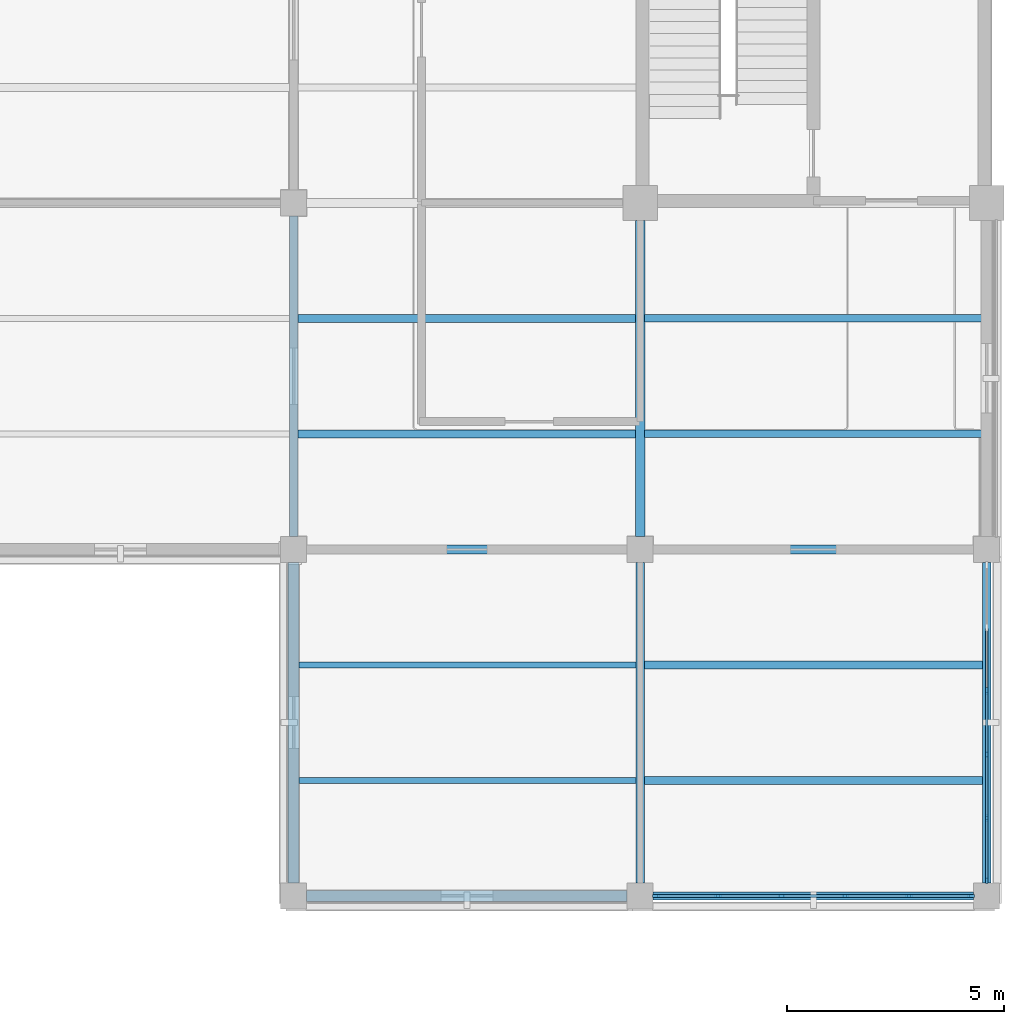
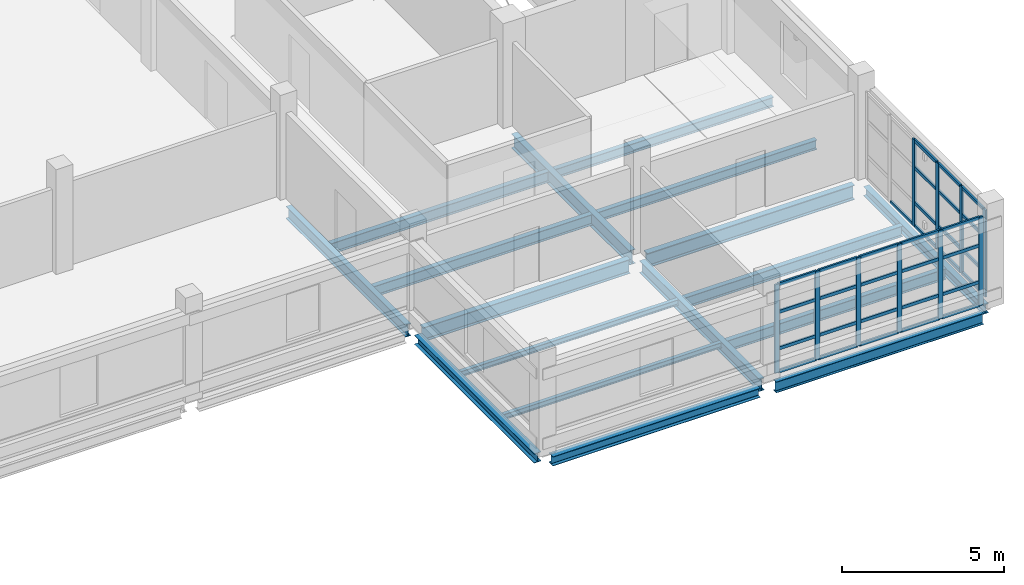
# One storey, part 47 of 126: 43 members, 17 beams, 2 elements without a shape of their own.
"""IFC4 building model written with IfcOpenShell, lengths in metres."""

from ifc_helpers import new_model, si_unit, derived_unit, direction, frame, origin, origin_2d, place, context, subcontext, project, spatial, rectangle, i_section, extrude, material, layer, layer_set, material_profile, profile_set, type_object, element, aggregate, save


model = new_model("IFC4")

# Units and contexts
model_context = context("Model", 3, precision=1e-05, world=origin(), true_north=direction((0.0, 1.0)))
body_context = subcontext(model_context, "Body", "Model", "MODEL_VIEW")
ifc_project = project(units=[si_unit("LENGTHUNIT", "METRE"), si_unit("AREAUNIT", "SQUARE_METRE"), si_unit("VOLUMEUNIT", "CUBIC_METRE"), si_unit("PLANEANGLEUNIT", "RADIAN"), si_unit("MASSUNIT", "GRAM", prefix="KILO"), derived_unit("THERMALTRANSMITTANCEUNIT", [(si_unit("MASSUNIT", "GRAM", prefix="KILO"), 1), (si_unit("TIMEUNIT", "SECOND"), -3), (si_unit("THERMODYNAMICTEMPERATUREUNIT", "KELVIN"), -1)])], contexts=[model_context])

# Site, building, storey
site_placement = place(None, origin())
site = spatial("IfcSite", under=ifc_project, at=site_placement, CompositionType="ELEMENT")
building_placement = place(site_placement, origin())
building = spatial("IfcBuilding", under=site, at=building_placement, Name="Veyamyaing Civic Hall", CompositionType="ELEMENT")
storey_placement = place(building_placement, frame((0.0, 0.0, 9.89990234375)))
storey = spatial("IfcBuildingStorey", under=building, at=storey_placement, Name="L02", CompositionType="ELEMENT", Elevation=9.89990234375)

# Beams
ifc_material_1 = material(Name="Steel ASTM A992", Category="steel")
ifc_material_profile_1 = material_profile(ifc_material_1, i_section(OverallWidth=0.208984375, OverallDepth=0.532958984375, WebThickness=0.01025390625, FlangeThickness=0.015625, FilletRadius=0.011962890625, at=origin_2d()), Name="W530X92")
ifc_profile_set_1 = profile_set([ifc_material_profile_1], Name="Steel ASTM A992")
beam_type_1 = type_object("IfcBeamType", Name="B-07", PredefinedType="BEAM", material=ifc_profile_set_1)
beam_1_placement = place(storey_placement, frame((160.300048828125, 8.0, -0.551513671875), z_axis=(1.0, 0.0, 0.0), x_axis=(0.0, 1.0, 0.0)))
element("IfcBeam", 1, at=beam_1_placement, inside=storey, type_object=beam_type_1, Name="Girder B-07 L02 Grid B 21-22", PredefinedType="BEAM", context=body_context, shape_type="SweptSolid", body=[
    extrude(i_section(OverallWidth=0.208984375, OverallDepth=0.532958984375, WebThickness=0.01025390625, FlangeThickness=0.015625, FilletRadius=0.011962890625, at=origin_2d()), origin(), (0.0, 0.0, 1.0), 7.39990234375),
])
ifc_material_profile_2 = material_profile(ifc_material_1, i_section(OverallWidth=0.19189453125, OverallDepth=0.462890625, WebThickness=0.010498046875, FlangeThickness=0.017578125, FilletRadius=0.010009765625, at=origin_2d()), Name="W460X89")
ifc_profile_set_2 = profile_set([ifc_material_profile_2], Name="Steel ASTM A992")
beam_type_2 = type_object("IfcBeamType", Name="B-08", PredefinedType="BEAM", material=ifc_profile_set_2)
for number, where, z_axis, x_axis, name in (
    (2, (160.0, 8.300048828125, -0.516357421875), (0.0, 1.0, 0.0), (-1.0, 0.0, 0.0), "Girder B-08 L02 Grid 21 B-C"),
    (3, (168.0, 0.300048828125, -0.516357421875), (0.0, 1.0, 0.0), (-1.0, 0.0, 0.0), "Girder B-08 L02 Grid 22 A-B"),
):
    element("IfcBeam", number, at=place(storey_placement, frame(where, z_axis=z_axis, x_axis=x_axis)), inside=storey, type_object=beam_type_2, Name=name, PredefinedType="BEAM", context=body_context, shape_type="SweptSolid", body=[
        extrude(i_section(OverallWidth=0.19189453125, OverallDepth=0.462890625, WebThickness=0.010498046875, FlangeThickness=0.017578125, FilletRadius=0.010009765625, at=origin_2d()), origin(), (0.0, 0.0, 1.0), 7.39990234375),
    ])
ifc_material_profile_3 = material_profile(ifc_material_1, i_section(OverallWidth=0.179931640625, OverallDepth=0.4130859375, WebThickness=0.009765625, FlangeThickness=0.01611328125, FilletRadius=0.010009765625, at=origin_2d()), Name="W410X74")
ifc_profile_set_3 = profile_set([ifc_material_profile_3], Name="Steel ASTM A992")
beam_type_3 = type_object("IfcBeamType", Name="B-10", PredefinedType="SPANDREL", material=ifc_profile_set_3)
beam_2_placement = place(storey_placement, frame((168.300048828125, 0.0, -0.491455078125), z_axis=(1.0, 0.0, 0.0), x_axis=(0.0, 1.0, 0.0)))
element("IfcBeam", 4, at=beam_2_placement, inside=storey, type_object=beam_type_3, Name="Girder B-10 L02 Grid A 22-23", PredefinedType="SPANDREL", context=body_context, shape_type="SweptSolid", body=[
    extrude(i_section(OverallWidth=0.179931640625, OverallDepth=0.4130859375, WebThickness=0.009765625, FlangeThickness=0.01611328125, FilletRadius=0.010009765625, at=origin_2d()), origin(), (0.0, 0.0, 1.0), 7.39990234375),
])
ifc_material_profile_4 = material_profile(ifc_material_1, i_section(OverallWidth=0.2041015625, OverallDepth=0.35009765625, WebThickness=0.0078125, FlangeThickness=0.01513671875, FilletRadius=0.010009765625, at=origin_2d()), Name="W360X72")
ifc_profile_set_4 = profile_set([ifc_material_profile_4], Name="Steel ASTM A992")
beam_type_4 = type_object("IfcBeamType", Name="B-11", PredefinedType="SPANDREL", material=ifc_profile_set_4)
beam_3_placement = place(storey_placement, frame((176.0, 0.300048828125, -0.4599609375), z_axis=(0.0, 1.0, 0.0), x_axis=(-1.0, 0.0, 0.0)))
element("IfcBeam", 5, at=beam_3_placement, inside=storey, type_object=beam_type_4, Name="Girder B-11 L02 Grid 23 A-B", PredefinedType="SPANDREL", context=body_context, shape_type="SweptSolid", body=[
    extrude(i_section(OverallWidth=0.2041015625, OverallDepth=0.35009765625, WebThickness=0.0078125, FlangeThickness=0.01513671875, FilletRadius=0.010009765625, at=origin_2d()), origin(), (0.0, 0.0, 1.0), 7.39990234375),
])
ifc_material_profile_5 = material_profile(ifc_material_1, i_section(OverallWidth=0.214111328125, OverallDepth=0.549072265625, WebThickness=0.0146484375, FlangeThickness=0.023681640625, FilletRadius=0.011962890625, at=origin_2d()), Name="W530X138")
ifc_profile_set_5 = profile_set([ifc_material_profile_5], Name="Steel ASTM A992")
beam_type_5 = type_object("IfcBeamType", Name="B-16", PredefinedType="BEAM", material=ifc_profile_set_5)
beam_4_placement = place(storey_placement, frame((168.300048828125, 8.0, -0.559326171875), z_axis=(1.0, 0.0, 0.0), x_axis=(0.0, 1.0, 0.0)))
element("IfcBeam", 6, at=beam_4_placement, inside=storey, type_object=beam_type_5, Name="Girder B-16 L02 Grid B 22-23", PredefinedType="BEAM", context=body_context, shape_type="SweptSolid", body=[
    extrude(i_section(OverallWidth=0.214111328125, OverallDepth=0.549072265625, WebThickness=0.0146484375, FlangeThickness=0.023681640625, FilletRadius=0.011962890625, at=origin_2d()), origin(), (0.0, 0.0, 1.0), 7.39990234375),
])
ifc_material_profile_6 = material_profile(ifc_material_1, i_section(OverallWidth=0.2109375, OverallDepth=0.5390625, WebThickness=0.01171875, FlangeThickness=0.018798828125, FilletRadius=0.011962890625, at=origin_2d()), Name="W530X109")
ifc_profile_set_6 = profile_set([ifc_material_profile_6], Name="Steel ASTM A992")
beam_type_6 = type_object("IfcBeamType", Name="B-17", PredefinedType="BEAM", material=ifc_profile_set_6)
beam_5_placement = place(storey_placement, frame((168.0, 8.300048828125, -0.554443359375), z_axis=(0.0, 1.0, 0.0), x_axis=(-1.0, 0.0, 0.0)))
element("IfcBeam", 7, at=beam_5_placement, inside=storey, type_object=beam_type_6, Name="Girder B-17 L02 Grid 22 B-C", PredefinedType="BEAM", context=body_context, shape_type="SweptSolid", body=[
    extrude(i_section(OverallWidth=0.2109375, OverallDepth=0.5390625, WebThickness=0.01171875, FlangeThickness=0.018798828125, FilletRadius=0.011962890625, at=origin_2d()), origin(), (0.0, 0.0, 1.0), 7.300048828125),
])
ifc_material_profile_7 = material_profile(ifc_material_1, i_section(OverallWidth=0.25390625, OverallDepth=0.35302734375, WebThickness=0.009521484375, FlangeThickness=0.016357421875, FilletRadius=0.011962890625, at=origin_2d()), Name="W360X91")
ifc_profile_set_7 = profile_set([ifc_material_profile_7], Name="Steel ASTM A992")
beam_type_7 = type_object("IfcBeamType", Name="B-20", PredefinedType="SPANDREL", material=ifc_profile_set_7)
for number, where, z_axis, x_axis, name in (
    (8, (160.300048828125, 0.0, -0.46142578125), (1.0, 0.0, 0.0), (0.0, 1.0, 0.0), "Girder B-20 L02 Grid A 21-22"),
    (9, (160.0, 0.300048828125, -0.46142578125), (0.0, 1.0, 0.0), (-1.0, 0.0, 0.0), "Girder B-20 L02 Grid 21 A-B"),
):
    element("IfcBeam", number, at=place(storey_placement, frame(where, z_axis=z_axis, x_axis=x_axis)), inside=storey, type_object=beam_type_7, Name=name, PredefinedType="SPANDREL", context=body_context, shape_type="SweptSolid", body=[
        extrude(i_section(OverallWidth=0.25390625, OverallDepth=0.35302734375, WebThickness=0.009521484375, FlangeThickness=0.016357421875, FilletRadius=0.011962890625, at=origin_2d()), origin(), (0.0, 0.0, 1.0), 7.39990234375),
    ])

# Curtain wall, members
ifc_material_2 = material(Name="Anodised aluminium 6063-T6", Category="aluminium")
ifc_layer = layer(ifc_material_2, 0.159912109375, Name="Anodised aluminium 6063-T6")
ifc_layer_set = layer_set([ifc_layer], Name="Anodised aluminium 6063-T6")
curtain_wall_type = type_object("IfcCurtainWallType", Name="CW-03", PredefinedType="NOTDEFINED", material=ifc_layer_set)
curtain_wall_1_placement = place(storey_placement, origin())
curtain_wall_1 = element("IfcCurtainWall", 10, at=curtain_wall_1_placement, inside=storey, type_object=curtain_wall_type, Name="Unitized curtain wall CW-03 L02 S 22.1", PredefinedType="NOTDEFINED")
ifc_material_profile_8 = material_profile(ifc_material_2, rectangle(XDim=0.06494140625, YDim=0.159912109375, at=origin_2d()), Name="ALU-MUL-65X160")
ifc_profile_set_8 = profile_set([ifc_material_profile_8], Name="Anodised aluminium 6063-T6")
member_type_1 = type_object("IfcMemberType", Name="CWM-01", PredefinedType="MULLION", material=ifc_profile_set_8)
member_1_placement = place(storey_placement, frame((168.362548828125, 0.0, 0.0), z_axis=(0.0, 0.0, 1.0), x_axis=(0.0, 1.0, 0.0)))
member_1 = element("IfcMember", 11, at=member_1_placement, type_object=member_type_1, Name="CW-03 mullion 1", PredefinedType="MULLION", context=body_context, shape_type="SweptSolid", body=[
    extrude(rectangle(XDim=0.06494140625, YDim=0.159912109375, at=origin_2d()), origin(), (0.0, 0.0, 1.0), 3.34716796875),
])
member_2_placement = place(storey_placement, frame((169.798095703125, 0.0, 0.0), z_axis=(0.0, 0.0, 1.0), x_axis=(0.0, 1.0, 0.0)))
member_2 = element("IfcMember", 12, at=member_2_placement, type_object=member_type_1, Name="CW-03 mullion 2", PredefinedType="MULLION", context=body_context, shape_type="SweptSolid", body=[
    extrude(rectangle(XDim=0.06494140625, YDim=0.159912109375, at=origin_2d()), origin(), (0.0, 0.0, 1.0), 3.34716796875),
])
member_3_placement = place(storey_placement, frame((171.26611328125, 0.0, 0.0), z_axis=(0.0, 0.0, 1.0), x_axis=(0.0, 1.0, 0.0)))
member_3 = element("IfcMember", 13, at=member_3_placement, type_object=member_type_1, Name="CW-03 mullion 3", PredefinedType="MULLION", context=body_context, shape_type="SweptSolid", body=[
    extrude(rectangle(XDim=0.06494140625, YDim=0.159912109375, at=origin_2d()), origin(), (0.0, 0.0, 1.0), 3.34716796875),
])
member_4_placement = place(storey_placement, frame((172.73388671875, 0.0, 0.0), z_axis=(0.0, 0.0, 1.0), x_axis=(0.0, 1.0, 0.0)))
member_4 = element("IfcMember", 14, at=member_4_placement, type_object=member_type_1, Name="CW-03 mullion 4", PredefinedType="MULLION", context=body_context, shape_type="SweptSolid", body=[
    extrude(rectangle(XDim=0.06494140625, YDim=0.159912109375, at=origin_2d()), origin(), (0.0, 0.0, 1.0), 3.34716796875),
])
member_5_placement = place(storey_placement, frame((174.201904296875, 0.0, 0.0), z_axis=(0.0, 0.0, 1.0), x_axis=(0.0, 1.0, 0.0)))
member_5 = element("IfcMember", 15, at=member_5_placement, type_object=member_type_1, Name="CW-03 mullion 5", PredefinedType="MULLION", context=body_context, shape_type="SweptSolid", body=[
    extrude(rectangle(XDim=0.06494140625, YDim=0.159912109375, at=origin_2d()), origin(), (0.0, 0.0, 1.0), 3.34716796875),
])
member_6_placement = place(storey_placement, frame((175.637451171875, 0.0, 0.0), z_axis=(0.0, 0.0, 1.0), x_axis=(0.0, 1.0, 0.0)))
member_6 = element("IfcMember", 16, at=member_6_placement, type_object=member_type_1, Name="CW-03 mullion 6", PredefinedType="MULLION", context=body_context, shape_type="SweptSolid", body=[
    extrude(rectangle(XDim=0.06494140625, YDim=0.159912109375, at=origin_2d()), origin(), (0.0, 0.0, 1.0), 3.34716796875),
])

curtain_wall_2_placement = place(storey_placement, origin())
curtain_wall_2 = element("IfcCurtainWall", 17, at=curtain_wall_2_placement, inside=storey, type_object=curtain_wall_type, Name="Unitized curtain wall CW-03 L02 E 22.1", PredefinedType="NOTDEFINED")
member_7_placement = place(storey_placement, frame((176.0, 0.362548828125, 0.0), z_axis=(0.0, 0.0, 1.0), x_axis=(-1.0, 0.0, 0.0)))
member_7 = element("IfcMember", 18, at=member_7_placement, type_object=member_type_1, Name="CW-03 mullion 1", PredefinedType="MULLION", context=body_context, shape_type="SweptSolid", body=[
    extrude(rectangle(XDim=0.06494140625, YDim=0.159912109375, at=origin_2d()), origin(), (0.0, 0.0, 1.0), 3.280029296875),
])
member_8_placement = place(storey_placement, frame((176.0, 1.798095703125, 0.0), z_axis=(0.0, 0.0, 1.0), x_axis=(-1.0, 0.0, 0.0)))
member_8 = element("IfcMember", 19, at=member_8_placement, type_object=member_type_1, Name="CW-03 mullion 2", PredefinedType="MULLION", context=body_context, shape_type="SweptSolid", body=[
    extrude(rectangle(XDim=0.06494140625, YDim=0.159912109375, at=origin_2d()), origin(), (0.0, 0.0, 1.0), 3.280029296875),
])
member_9_placement = place(storey_placement, frame((176.0, 3.26611328125, 0.0), z_axis=(0.0, 0.0, 1.0), x_axis=(-1.0, 0.0, 0.0)))
member_9 = element("IfcMember", 20, at=member_9_placement, type_object=member_type_1, Name="CW-03 mullion 3", PredefinedType="MULLION", context=body_context, shape_type="SweptSolid", body=[
    extrude(rectangle(XDim=0.06494140625, YDim=0.159912109375, at=origin_2d()), origin(), (0.0, 0.0, 1.0), 3.280029296875),
])
member_10_placement = place(storey_placement, frame((176.0, 4.73388671875, 0.0), z_axis=(0.0, 0.0, 1.0), x_axis=(-1.0, 0.0, 0.0)))
member_10 = element("IfcMember", 21, at=member_10_placement, type_object=member_type_1, Name="CW-03 mullion 4", PredefinedType="MULLION", context=body_context, shape_type="SweptSolid", body=[
    extrude(rectangle(XDim=0.06494140625, YDim=0.159912109375, at=origin_2d()), origin(), (0.0, 0.0, 1.0), 3.280029296875),
])

# Member
ifc_material_profile_9 = material_profile(ifc_material_2, rectangle(XDim=0.06494140625, YDim=0.1201171875, at=origin_2d()), Name="ALU-TRN-65X120")
ifc_profile_set_9 = profile_set([ifc_material_profile_9], Name="Anodised aluminium 6063-T6")
member_type_2 = type_object("IfcMemberType", Name="CWT-01", PredefinedType="USERDEFINED", material=ifc_profile_set_9)
member_11_placement = place(storey_placement, frame((168.39501953125, 0.0, 0.03271484375), z_axis=(1.0, 0.0, 0.0), x_axis=(0.0, 1.0, 0.0)))
member_11 = element("IfcMember", 22, at=member_11_placement, type_object=member_type_2, Name="CW-03 transom 1.1", ObjectType="TRANSOM", PredefinedType="USERDEFINED", context=body_context, shape_type="SweptSolid", body=[
    extrude(rectangle(XDim=0.06494140625, YDim=0.1201171875, at=origin_2d()), origin(), (0.0, 0.0, 1.0), 1.370361328125),
])

member_12_placement = place(storey_placement, frame((168.39501953125, 0.0, 0.900146484375), z_axis=(1.0, 0.0, 0.0), x_axis=(0.0, 1.0, 0.0)))
member_12 = element("IfcMember", 23, at=member_12_placement, type_object=member_type_2, Name="CW-03 transom 1.2", ObjectType="TRANSOM", PredefinedType="USERDEFINED", context=body_context, shape_type="SweptSolid", body=[
    extrude(rectangle(XDim=0.06494140625, YDim=0.1201171875, at=origin_2d()), origin(), (0.0, 0.0, 1.0), 1.370361328125),
])

member_13_placement = place(storey_placement, frame((168.39501953125, 0.0, 2.276123046875), z_axis=(1.0, 0.0, 0.0), x_axis=(0.0, 1.0, 0.0)))
member_13 = element("IfcMember", 24, at=member_13_placement, type_object=member_type_2, Name="CW-03 transom 1.3", ObjectType="TRANSOM", PredefinedType="USERDEFINED", context=body_context, shape_type="SweptSolid", body=[
    extrude(rectangle(XDim=0.06494140625, YDim=0.1201171875, at=origin_2d()), origin(), (0.0, 0.0, 1.0), 1.370361328125),
])

member_14_placement = place(storey_placement, frame((168.39501953125, 0.0, 3.314697265625), z_axis=(1.0, 0.0, 0.0), x_axis=(0.0, 1.0, 0.0)))
member_14 = element("IfcMember", 25, at=member_14_placement, type_object=member_type_2, Name="CW-03 transom 1.4", ObjectType="TRANSOM", PredefinedType="USERDEFINED", context=body_context, shape_type="SweptSolid", body=[
    extrude(rectangle(XDim=0.06494140625, YDim=0.1201171875, at=origin_2d()), origin(), (0.0, 0.0, 1.0), 1.370361328125),
])

member_15_placement = place(storey_placement, frame((169.83056640625, 0.0, 0.03271484375), z_axis=(1.0, 0.0, 0.0), x_axis=(0.0, 1.0, 0.0)))
member_15 = element("IfcMember", 26, at=member_15_placement, type_object=member_type_2, Name="CW-03 transom 2.1", ObjectType="TRANSOM", PredefinedType="USERDEFINED", context=body_context, shape_type="SweptSolid", body=[
    extrude(rectangle(XDim=0.06494140625, YDim=0.1201171875, at=origin_2d()), origin(), (0.0, 0.0, 1.0), 1.40283203125),
])

member_16_placement = place(storey_placement, frame((169.83056640625, 0.0, 0.900146484375), z_axis=(1.0, 0.0, 0.0), x_axis=(0.0, 1.0, 0.0)))
member_16 = element("IfcMember", 27, at=member_16_placement, type_object=member_type_2, Name="CW-03 transom 2.2", ObjectType="TRANSOM", PredefinedType="USERDEFINED", context=body_context, shape_type="SweptSolid", body=[
    extrude(rectangle(XDim=0.06494140625, YDim=0.1201171875, at=origin_2d()), origin(), (0.0, 0.0, 1.0), 1.40283203125),
])

member_17_placement = place(storey_placement, frame((169.83056640625, 0.0, 2.276123046875), z_axis=(1.0, 0.0, 0.0), x_axis=(0.0, 1.0, 0.0)))
member_17 = element("IfcMember", 28, at=member_17_placement, type_object=member_type_2, Name="CW-03 transom 2.3", ObjectType="TRANSOM", PredefinedType="USERDEFINED", context=body_context, shape_type="SweptSolid", body=[
    extrude(rectangle(XDim=0.06494140625, YDim=0.1201171875, at=origin_2d()), origin(), (0.0, 0.0, 1.0), 1.40283203125),
])

member_18_placement = place(storey_placement, frame((169.83056640625, 0.0, 3.314697265625), z_axis=(1.0, 0.0, 0.0), x_axis=(0.0, 1.0, 0.0)))
member_18 = element("IfcMember", 29, at=member_18_placement, type_object=member_type_2, Name="CW-03 transom 2.4", ObjectType="TRANSOM", PredefinedType="USERDEFINED", context=body_context, shape_type="SweptSolid", body=[
    extrude(rectangle(XDim=0.06494140625, YDim=0.1201171875, at=origin_2d()), origin(), (0.0, 0.0, 1.0), 1.40283203125),
])

member_19_placement = place(storey_placement, frame((171.298583984375, 0.0, 0.03271484375), z_axis=(1.0, 0.0, 0.0), x_axis=(0.0, 1.0, 0.0)))
member_19 = element("IfcMember", 30, at=member_19_placement, type_object=member_type_2, Name="CW-03 transom 3.1", ObjectType="TRANSOM", PredefinedType="USERDEFINED", context=body_context, shape_type="SweptSolid", body=[
    extrude(rectangle(XDim=0.06494140625, YDim=0.1201171875, at=origin_2d()), origin(), (0.0, 0.0, 1.0), 1.40283203125),
])

member_20_placement = place(storey_placement, frame((171.298583984375, 0.0, 0.900146484375), z_axis=(1.0, 0.0, 0.0), x_axis=(0.0, 1.0, 0.0)))
member_20 = element("IfcMember", 31, at=member_20_placement, type_object=member_type_2, Name="CW-03 transom 3.2", ObjectType="TRANSOM", PredefinedType="USERDEFINED", context=body_context, shape_type="SweptSolid", body=[
    extrude(rectangle(XDim=0.06494140625, YDim=0.1201171875, at=origin_2d()), origin(), (0.0, 0.0, 1.0), 1.40283203125),
])

member_21_placement = place(storey_placement, frame((171.298583984375, 0.0, 2.276123046875), z_axis=(1.0, 0.0, 0.0), x_axis=(0.0, 1.0, 0.0)))
member_21 = element("IfcMember", 32, at=member_21_placement, type_object=member_type_2, Name="CW-03 transom 3.3", ObjectType="TRANSOM", PredefinedType="USERDEFINED", context=body_context, shape_type="SweptSolid", body=[
    extrude(rectangle(XDim=0.06494140625, YDim=0.1201171875, at=origin_2d()), origin(), (0.0, 0.0, 1.0), 1.40283203125),
])

member_22_placement = place(storey_placement, frame((171.298583984375, 0.0, 3.314697265625), z_axis=(1.0, 0.0, 0.0), x_axis=(0.0, 1.0, 0.0)))
member_22 = element("IfcMember", 33, at=member_22_placement, type_object=member_type_2, Name="CW-03 transom 3.4", ObjectType="TRANSOM", PredefinedType="USERDEFINED", context=body_context, shape_type="SweptSolid", body=[
    extrude(rectangle(XDim=0.06494140625, YDim=0.1201171875, at=origin_2d()), origin(), (0.0, 0.0, 1.0), 1.40283203125),
])

member_23_placement = place(storey_placement, frame((172.7666015625, 0.0, 0.03271484375), z_axis=(1.0, 0.0, 0.0), x_axis=(0.0, 1.0, 0.0)))
member_23 = element("IfcMember", 34, at=member_23_placement, type_object=member_type_2, Name="CW-03 transom 4.1", ObjectType="TRANSOM", PredefinedType="USERDEFINED", context=body_context, shape_type="SweptSolid", body=[
    extrude(rectangle(XDim=0.06494140625, YDim=0.1201171875, at=origin_2d()), origin(), (0.0, 0.0, 1.0), 1.40283203125),
])

member_24_placement = place(storey_placement, frame((172.7666015625, 0.0, 0.900146484375), z_axis=(1.0, 0.0, 0.0), x_axis=(0.0, 1.0, 0.0)))
member_24 = element("IfcMember", 35, at=member_24_placement, type_object=member_type_2, Name="CW-03 transom 4.2", ObjectType="TRANSOM", PredefinedType="USERDEFINED", context=body_context, shape_type="SweptSolid", body=[
    extrude(rectangle(XDim=0.06494140625, YDim=0.1201171875, at=origin_2d()), origin(), (0.0, 0.0, 1.0), 1.40283203125),
])

member_25_placement = place(storey_placement, frame((172.7666015625, 0.0, 2.276123046875), z_axis=(1.0, 0.0, 0.0), x_axis=(0.0, 1.0, 0.0)))
member_25 = element("IfcMember", 36, at=member_25_placement, type_object=member_type_2, Name="CW-03 transom 4.3", ObjectType="TRANSOM", PredefinedType="USERDEFINED", context=body_context, shape_type="SweptSolid", body=[
    extrude(rectangle(XDim=0.06494140625, YDim=0.1201171875, at=origin_2d()), origin(), (0.0, 0.0, 1.0), 1.40283203125),
])

member_26_placement = place(storey_placement, frame((172.7666015625, 0.0, 3.314697265625), z_axis=(1.0, 0.0, 0.0), x_axis=(0.0, 1.0, 0.0)))
member_26 = element("IfcMember", 37, at=member_26_placement, type_object=member_type_2, Name="CW-03 transom 4.4", ObjectType="TRANSOM", PredefinedType="USERDEFINED", context=body_context, shape_type="SweptSolid", body=[
    extrude(rectangle(XDim=0.06494140625, YDim=0.1201171875, at=origin_2d()), origin(), (0.0, 0.0, 1.0), 1.40283203125),
])

member_27_placement = place(storey_placement, frame((174.234619140625, 0.0, 0.03271484375), z_axis=(1.0, 0.0, 0.0), x_axis=(0.0, 1.0, 0.0)))
member_27 = element("IfcMember", 38, at=member_27_placement, type_object=member_type_2, Name="CW-03 transom 5.1", ObjectType="TRANSOM", PredefinedType="USERDEFINED", context=body_context, shape_type="SweptSolid", body=[
    extrude(rectangle(XDim=0.06494140625, YDim=0.1201171875, at=origin_2d()), origin(), (0.0, 0.0, 1.0), 1.370361328125),
])

member_28_placement = place(storey_placement, frame((174.234619140625, 0.0, 0.900146484375), z_axis=(1.0, 0.0, 0.0), x_axis=(0.0, 1.0, 0.0)))
member_28 = element("IfcMember", 39, at=member_28_placement, type_object=member_type_2, Name="CW-03 transom 5.2", ObjectType="TRANSOM", PredefinedType="USERDEFINED", context=body_context, shape_type="SweptSolid", body=[
    extrude(rectangle(XDim=0.06494140625, YDim=0.1201171875, at=origin_2d()), origin(), (0.0, 0.0, 1.0), 1.370361328125),
])

member_29_placement = place(storey_placement, frame((174.234619140625, 0.0, 2.276123046875), z_axis=(1.0, 0.0, 0.0), x_axis=(0.0, 1.0, 0.0)))
member_29 = element("IfcMember", 40, at=member_29_placement, type_object=member_type_2, Name="CW-03 transom 5.3", ObjectType="TRANSOM", PredefinedType="USERDEFINED", context=body_context, shape_type="SweptSolid", body=[
    extrude(rectangle(XDim=0.06494140625, YDim=0.1201171875, at=origin_2d()), origin(), (0.0, 0.0, 1.0), 1.370361328125),
])

member_30_placement = place(storey_placement, frame((174.234619140625, 0.0, 3.314697265625), z_axis=(1.0, 0.0, 0.0), x_axis=(0.0, 1.0, 0.0)))
member_30 = element("IfcMember", 41, at=member_30_placement, type_object=member_type_2, Name="CW-03 transom 5.4", ObjectType="TRANSOM", PredefinedType="USERDEFINED", context=body_context, shape_type="SweptSolid", body=[
    extrude(rectangle(XDim=0.06494140625, YDim=0.1201171875, at=origin_2d()), origin(), (0.0, 0.0, 1.0), 1.370361328125),
])

aggregate(curtain_wall_1, [member_1, member_2, member_3, member_4, member_5, member_6, member_11, member_12, member_13, member_14, member_15, member_16, member_17, member_18, member_19, member_20, member_21, member_22, member_23, member_24, member_25, member_26, member_27, member_28, member_29, member_30])

member_31_placement = place(storey_placement, frame((176.0, 0.39501953125, 0.03271484375), z_axis=(0.0, 1.0, 0.0), x_axis=(-1.0, 0.0, 0.0)))
member_31 = element("IfcMember", 42, at=member_31_placement, type_object=member_type_2, Name="CW-03 transom 1.1", ObjectType="TRANSOM", PredefinedType="USERDEFINED", context=body_context, shape_type="SweptSolid", body=[
    extrude(rectangle(XDim=0.06494140625, YDim=0.1201171875, at=origin_2d()), origin(), (0.0, 0.0, 1.0), 1.370361328125),
])

member_32_placement = place(storey_placement, frame((176.0, 0.39501953125, 0.900146484375), z_axis=(0.0, 1.0, 0.0), x_axis=(-1.0, 0.0, 0.0)))
member_32 = element("IfcMember", 43, at=member_32_placement, type_object=member_type_2, Name="CW-03 transom 1.2", ObjectType="TRANSOM", PredefinedType="USERDEFINED", context=body_context, shape_type="SweptSolid", body=[
    extrude(rectangle(XDim=0.06494140625, YDim=0.1201171875, at=origin_2d()), origin(), (0.0, 0.0, 1.0), 1.370361328125),
])

member_33_placement = place(storey_placement, frame((176.0, 0.39501953125, 2.23046875), z_axis=(0.0, 1.0, 0.0), x_axis=(-1.0, 0.0, 0.0)))
member_33 = element("IfcMember", 44, at=member_33_placement, type_object=member_type_2, Name="CW-03 transom 1.3", ObjectType="TRANSOM", PredefinedType="USERDEFINED", context=body_context, shape_type="SweptSolid", body=[
    extrude(rectangle(XDim=0.06494140625, YDim=0.1201171875, at=origin_2d()), origin(), (0.0, 0.0, 1.0), 1.370361328125),
])

member_34_placement = place(storey_placement, frame((176.0, 0.39501953125, 3.24755859375), z_axis=(0.0, 1.0, 0.0), x_axis=(-1.0, 0.0, 0.0)))
member_34 = element("IfcMember", 45, at=member_34_placement, type_object=member_type_2, Name="CW-03 transom 1.4", ObjectType="TRANSOM", PredefinedType="USERDEFINED", context=body_context, shape_type="SweptSolid", body=[
    extrude(rectangle(XDim=0.06494140625, YDim=0.1201171875, at=origin_2d()), origin(), (0.0, 0.0, 1.0), 1.370361328125),
])

member_35_placement = place(storey_placement, frame((176.0, 1.83056640625, 0.03271484375), z_axis=(0.0, 1.0, 0.0), x_axis=(-1.0, 0.0, 0.0)))
member_35 = element("IfcMember", 46, at=member_35_placement, type_object=member_type_2, Name="CW-03 transom 2.1", ObjectType="TRANSOM", PredefinedType="USERDEFINED", context=body_context, shape_type="SweptSolid", body=[
    extrude(rectangle(XDim=0.06494140625, YDim=0.1201171875, at=origin_2d()), origin(), (0.0, 0.0, 1.0), 1.40283203125),
])

member_36_placement = place(storey_placement, frame((176.0, 1.83056640625, 0.900146484375), z_axis=(0.0, 1.0, 0.0), x_axis=(-1.0, 0.0, 0.0)))
member_36 = element("IfcMember", 47, at=member_36_placement, type_object=member_type_2, Name="CW-03 transom 2.2", ObjectType="TRANSOM", PredefinedType="USERDEFINED", context=body_context, shape_type="SweptSolid", body=[
    extrude(rectangle(XDim=0.06494140625, YDim=0.1201171875, at=origin_2d()), origin(), (0.0, 0.0, 1.0), 1.40283203125),
])

member_37_placement = place(storey_placement, frame((176.0, 1.83056640625, 2.23046875), z_axis=(0.0, 1.0, 0.0), x_axis=(-1.0, 0.0, 0.0)))
member_37 = element("IfcMember", 48, at=member_37_placement, type_object=member_type_2, Name="CW-03 transom 2.3", ObjectType="TRANSOM", PredefinedType="USERDEFINED", context=body_context, shape_type="SweptSolid", body=[
    extrude(rectangle(XDim=0.06494140625, YDim=0.1201171875, at=origin_2d()), origin(), (0.0, 0.0, 1.0), 1.40283203125),
])

member_38_placement = place(storey_placement, frame((176.0, 1.83056640625, 3.24755859375), z_axis=(0.0, 1.0, 0.0), x_axis=(-1.0, 0.0, 0.0)))
member_38 = element("IfcMember", 49, at=member_38_placement, type_object=member_type_2, Name="CW-03 transom 2.4", ObjectType="TRANSOM", PredefinedType="USERDEFINED", context=body_context, shape_type="SweptSolid", body=[
    extrude(rectangle(XDim=0.06494140625, YDim=0.1201171875, at=origin_2d()), origin(), (0.0, 0.0, 1.0), 1.40283203125),
])

member_39_placement = place(storey_placement, frame((176.0, 3.298583984375, 0.03271484375), z_axis=(0.0, 1.0, 0.0), x_axis=(-1.0, 0.0, 0.0)))
member_39 = element("IfcMember", 50, at=member_39_placement, type_object=member_type_2, Name="CW-03 transom 3.1", ObjectType="TRANSOM", PredefinedType="USERDEFINED", context=body_context, shape_type="SweptSolid", body=[
    extrude(rectangle(XDim=0.06494140625, YDim=0.1201171875, at=origin_2d()), origin(), (0.0, 0.0, 1.0), 1.40283203125),
])

member_40_placement = place(storey_placement, frame((176.0, 3.298583984375, 0.900146484375), z_axis=(0.0, 1.0, 0.0), x_axis=(-1.0, 0.0, 0.0)))
member_40 = element("IfcMember", 51, at=member_40_placement, type_object=member_type_2, Name="CW-03 transom 3.2", ObjectType="TRANSOM", PredefinedType="USERDEFINED", context=body_context, shape_type="SweptSolid", body=[
    extrude(rectangle(XDim=0.06494140625, YDim=0.1201171875, at=origin_2d()), origin(), (0.0, 0.0, 1.0), 1.40283203125),
])

member_41_placement = place(storey_placement, frame((176.0, 3.298583984375, 2.23046875), z_axis=(0.0, 1.0, 0.0), x_axis=(-1.0, 0.0, 0.0)))
member_41 = element("IfcMember", 52, at=member_41_placement, type_object=member_type_2, Name="CW-03 transom 3.3", ObjectType="TRANSOM", PredefinedType="USERDEFINED", context=body_context, shape_type="SweptSolid", body=[
    extrude(rectangle(XDim=0.06494140625, YDim=0.1201171875, at=origin_2d()), origin(), (0.0, 0.0, 1.0), 1.40283203125),
])

member_42_placement = place(storey_placement, frame((176.0, 3.298583984375, 3.24755859375), z_axis=(0.0, 1.0, 0.0), x_axis=(-1.0, 0.0, 0.0)))
member_42 = element("IfcMember", 53, at=member_42_placement, type_object=member_type_2, Name="CW-03 transom 3.4", ObjectType="TRANSOM", PredefinedType="USERDEFINED", context=body_context, shape_type="SweptSolid", body=[
    extrude(rectangle(XDim=0.06494140625, YDim=0.1201171875, at=origin_2d()), origin(), (0.0, 0.0, 1.0), 1.40283203125),
])

member_43_placement = place(storey_placement, frame((176.0, 4.7666015625, 0.03271484375), z_axis=(0.0, 1.0, 0.0), x_axis=(-1.0, 0.0, 0.0)))
member_43 = element("IfcMember", 54, at=member_43_placement, type_object=member_type_2, Name="CW-03 transom 4.1", ObjectType="TRANSOM", PredefinedType="USERDEFINED", context=body_context, shape_type="SweptSolid", body=[
    extrude(rectangle(XDim=0.06494140625, YDim=0.1201171875, at=origin_2d()), origin(), (0.0, 0.0, 1.0), 1.40283203125),
])

aggregate(curtain_wall_2, [member_7, member_8, member_9, member_10, member_31, member_32, member_33, member_34, member_35, member_36, member_37, member_38, member_39, member_40, member_41, member_42, member_43])

# Beams
ifc_material_profile_10 = material_profile(ifc_material_1, i_section(OverallWidth=0.177978515625, OverallDepth=0.406982421875, WebThickness=0.0078125, FlangeThickness=0.0126953125, FilletRadius=0.010009765625, at=origin_2d()), Name="W410X60")
ifc_profile_set_10 = profile_set([ifc_material_profile_10], Name="Steel ASTM A992")
beam_type_8 = type_object("IfcBeamType", Name="J-01", PredefinedType="JOIST", material=ifc_profile_set_10)
for number, where, z_axis, x_axis, name in (
    (55, (160.093994140625, 10.666748046875, -0.48828125), (1.0, 0.0, 0.0), (0.0, 1.0, 0.0), "Composite floor joist J-01 L02 21.2.1"),
    (56, (160.093994140625, 13.333251953125, -0.48828125), (1.0, 0.0, 0.0), (0.0, 1.0, 0.0), "Composite floor joist J-01 L02 21.2.2"),
):
    element("IfcBeam", number, at=place(storey_placement, frame(where, z_axis=z_axis, x_axis=x_axis)), inside=storey, type_object=beam_type_8, Name=name, PredefinedType="JOIST", context=body_context, shape_type="SweptSolid", body=[
        extrude(i_section(OverallWidth=0.177978515625, OverallDepth=0.406982421875, WebThickness=0.0078125, FlangeThickness=0.0126953125, FilletRadius=0.010009765625, at=origin_2d()), origin(), (0.0, 0.0, 1.0), 7.802490234375),
    ])
for number, where, z_axis, x_axis, name in (
    (57, (168.093994140625, 2.666748046875, -0.48828125), (1.0, 0.0, 0.0), (0.0, 1.0, 0.0), "Composite floor joist J-01 L02 22.1.1"),
    (58, (168.093994140625, 5.333251953125, -0.48828125), (1.0, 0.0, 0.0), (0.0, 1.0, 0.0), "Composite floor joist J-01 L02 22.1.2"),
):
    element("IfcBeam", number, at=place(storey_placement, frame(where, z_axis=z_axis, x_axis=x_axis)), inside=storey, type_object=beam_type_8, Name=name, PredefinedType="JOIST", context=body_context, shape_type="SweptSolid", body=[
        extrude(i_section(OverallWidth=0.177978515625, OverallDepth=0.406982421875, WebThickness=0.0078125, FlangeThickness=0.0126953125, FilletRadius=0.010009765625, at=origin_2d()), origin(), (0.0, 0.0, 1.0), 7.805908203125),
    ])
ifc_material_profile_11 = material_profile(ifc_material_1, i_section(OverallWidth=0.172119140625, OverallDepth=0.35791015625, WebThickness=0.0078125, FlangeThickness=0.01318359375, FilletRadius=0.010009765625, at=origin_2d()), Name="W360X57")
ifc_profile_set_11 = profile_set([ifc_material_profile_11], Name="Steel ASTM A992")
beam_type_9 = type_object("IfcBeamType", Name="J-02", PredefinedType="JOIST", material=ifc_profile_set_11)
for number, where, z_axis, x_axis, name in (
    (59, (168.103515625, 10.666748046875, -0.4638671875), (1.0, 0.0, 0.0), (0.0, 1.0, 0.0), "Composite floor joist J-02 L02 22.2.1"),
    (60, (168.103515625, 13.333251953125, -0.4638671875), (1.0, 0.0, 0.0), (0.0, 1.0, 0.0), "Composite floor joist J-02 L02 22.2.2"),
):
    element("IfcBeam", number, at=place(storey_placement, frame(where, z_axis=z_axis, x_axis=x_axis)), inside=storey, type_object=beam_type_9, Name=name, PredefinedType="JOIST", context=body_context, shape_type="SweptSolid", body=[
        extrude(i_section(OverallWidth=0.172119140625, OverallDepth=0.35791015625, WebThickness=0.0078125, FlangeThickness=0.01318359375, FilletRadius=0.010009765625, at=origin_2d()), origin(), (0.0, 0.0, 1.0), 7.80810546875),
    ])
ifc_material_profile_12 = material_profile(ifc_material_1, i_section(OverallWidth=0.133056640625, OverallDepth=0.20703125, WebThickness=0.005859375, FlangeThickness=0.00830078125, FilletRadius=0.010009765625, at=origin_2d()), Name="W200X27")
ifc_profile_set_12 = profile_set([ifc_material_profile_12], Name="Steel ASTM A992")
beam_type_10 = type_object("IfcBeamType", Name="J-08", PredefinedType="JOIST", material=ifc_profile_set_12)
for number, where, z_axis, x_axis, name in (
    (61, (160.125, 2.666748046875, -0.388427734375), (1.0, 0.0, 0.0), (0.0, 1.0, 0.0), "Composite floor joist J-08 L02 21.1.1"),
    (62, (160.125, 5.333251953125, -0.388427734375), (1.0, 0.0, 0.0), (0.0, 1.0, 0.0), "Composite floor joist J-08 L02 21.1.2"),
):
    element("IfcBeam", number, at=place(storey_placement, frame(where, z_axis=z_axis, x_axis=x_axis)), inside=storey, type_object=beam_type_10, Name=name, PredefinedType="JOIST", context=body_context, shape_type="SweptSolid", body=[
        extrude(i_section(OverallWidth=0.133056640625, OverallDepth=0.20703125, WebThickness=0.005859375, FlangeThickness=0.00830078125, FilletRadius=0.010009765625, at=origin_2d()), origin(), (0.0, 0.0, 1.0), 7.781005859375),
    ])

save(model, "model.ifc")
